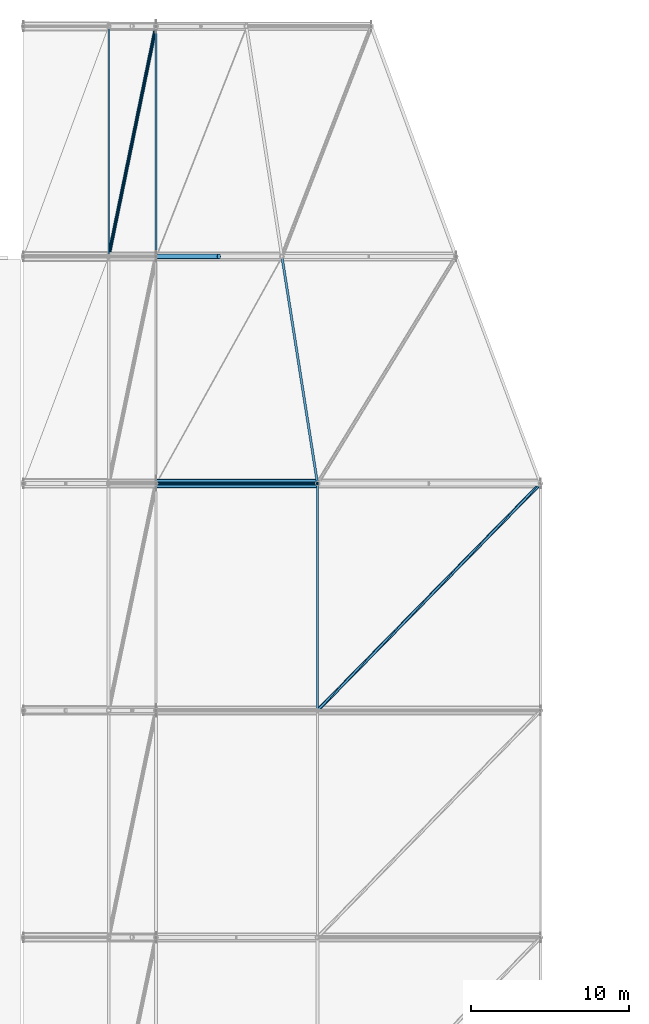
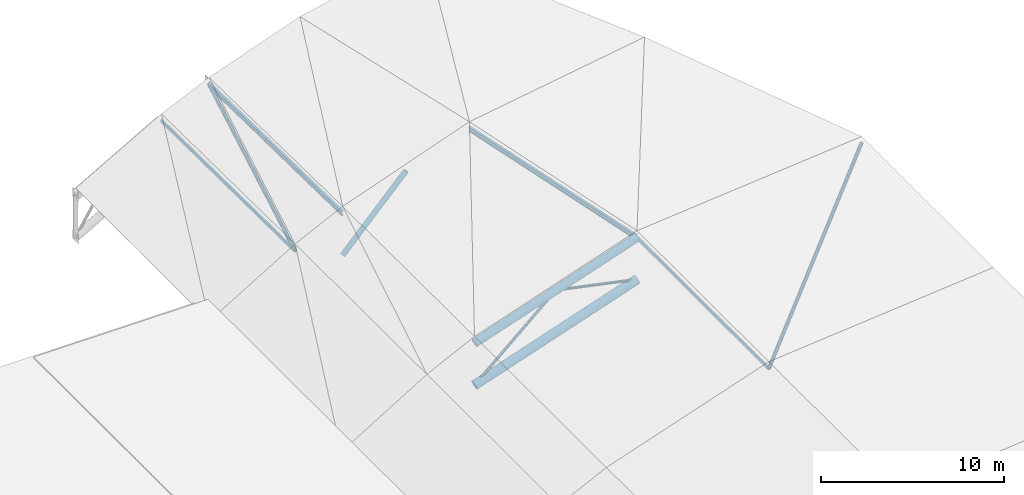
# One storey, part 12 of 36: 11 members.
"""IFC4 building model written with IfcOpenShell, lengths in metres."""

from ifc_helpers import new_model, si_unit, direction, frame, origin, origin_2d, place, context, subcontext, project, spatial, hollow_rectangle, hollow_circle, i_section, extrude, material, material_profile, profile_set, type_object, element, save


model = new_model("IFC4")

# Units and contexts
model_context = context("Model", 3, precision=1e-05, world=origin(), true_north=direction((0.0, 1.0)))
body_context = subcontext(model_context, "Body", "Model", "MODEL_VIEW")
ifc_project = project(units=[si_unit("LENGTHUNIT", "METRE"), si_unit("AREAUNIT", "SQUARE_METRE"), si_unit("VOLUMEUNIT", "CUBIC_METRE"), si_unit("PLANEANGLEUNIT", "RADIAN"), si_unit("MASSUNIT", "GRAM", prefix="KILO")], contexts=[model_context])

# Site, building, storey
site_placement = place(None, origin())
site = spatial("IfcSite", under=ifc_project, at=site_placement, CompositionType="ELEMENT")
building_placement = place(site_placement, origin())
building = spatial("IfcBuilding", under=site, at=building_placement, Name="Koshinbarg Plaza Stadium", CompositionType="ELEMENT")
storey_placement = place(building_placement, frame((0.0, 0.0, 34.199951171875)))
storey = spatial("IfcBuildingStorey", under=building, at=storey_placement, Name="RF", CompositionType="ELEMENT", Elevation=34.199951171875)

# Members
ifc_material = material(Name="Steel S355", Category="steel")
ifc_material_profile_1 = material_profile(ifc_material, hollow_circle(Radius=0.279541015625, WallThickness=0.022216796875, at=origin_2d()), Name="CHS 559x22.2")
ifc_profile_set_1 = profile_set([ifc_material_profile_1], Name="Steel S355")
member_type_1 = type_object("IfcMemberType", Name="MB-ARCH-BOT", PredefinedType="CHORD", material=ifc_profile_set_1)
member_1_placement = place(storey_placement, frame((54.60009765625, 97.5, -0.0400390625), z_axis=(0.947427718422, 0.0, 0.319969871027), x_axis=(0.0, 1.0, 0.0)))
element("IfcMember", 1, at=member_1_placement, inside=storey, type_object=member_type_1, Name="Quarter-barrel roof truss bottom chord WRB-06-3", PredefinedType="CHORD", context=body_context, shape_type="SweptSolid", body=[
    extrude(hollow_circle(Radius=0.279541015625, WallThickness=0.022216796875, at=origin_2d()), origin(), (0.0, 0.0, 1.0), 10.81640625),
])
ifc_material_profile_2 = material_profile(ifc_material, hollow_circle(Radius=0.25390625, WallThickness=0.02001953125, at=origin_2d()), Name="CHS 508x20")
ifc_profile_set_2 = profile_set([ifc_material_profile_2], Name="Steel S355")
member_type_2 = type_object("IfcMemberType", Name="MB-ARCH-TOP", PredefinedType="CHORD", material=ifc_profile_set_2)
member_2_placement = place(storey_placement, frame((54.60009765625, 97.5, 2.760009765625), z_axis=(0.947427718422, 0.0, 0.319969871027), x_axis=(0.0, 1.0, 0.0)))
element("IfcMember", 2, at=member_2_placement, inside=storey, type_object=member_type_2, Name="Quarter-barrel roof truss top chord WRB-06-3", PredefinedType="CHORD", context=body_context, shape_type="SweptSolid", body=[
    extrude(hollow_circle(Radius=0.25390625, WallThickness=0.02001953125, at=origin_2d()), origin(), (0.0, 0.0, 1.0), 10.81640625),
])
ifc_material_profile_3 = material_profile(ifc_material, hollow_circle(Radius=0.161865234375, WallThickness=0.01416015625, at=origin_2d()), Name="CHS 323.9x14.2")
ifc_profile_set_3 = profile_set([ifc_material_profile_3], Name="Steel S355")
member_type_3 = type_object("IfcMemberType", Name="MB-BRACE-01", PredefinedType="BRACE", material=ifc_profile_set_3)
member_3_placement = place(storey_placement, frame((54.60009765625, 111.89990234375, -0.10302734375), z_axis=(0.687397482142, 0.0, 0.72628142035), x_axis=(0.0, 1.0, 0.0)))
element("IfcMember", 3, at=member_3_placement, inside=storey, type_object=member_type_3, Name="Quarter-barrel roof truss web diagonal WRB-07-3A", PredefinedType="BRACE", context=body_context, shape_type="SweptSolid", body=[
    extrude(hollow_circle(Radius=0.161865234375, WallThickness=0.01416015625, at=origin_2d()), origin(), (0.0, 0.0, 1.0), 5.81396484375),
])
ifc_material_profile_4 = material_profile(ifc_material, hollow_circle(Radius=0.109619140625, WallThickness=0.010009765625, at=origin_2d()), Name="CHS 219.1x10")
ifc_profile_set_4 = profile_set([ifc_material_profile_4], Name="Steel S355")
member_type_4 = type_object("IfcMemberType", Name="MB-BRACE-03", PredefinedType="BRACE", material=ifc_profile_set_4)
member_4_placement = place(storey_placement, frame((64.847900390625, 83.10009765625, 6.220947265625), z_axis=(0.699437852357, 0.711684982968, 0.065507066097), x_axis=(-0.713216897677, 0.700943404897, 0.0)))
element("IfcMember", 4, at=member_4_placement, inside=storey, type_object=member_type_4, Name="Roof plan wind brace west bay 5.4", PredefinedType="BRACE", context=body_context, shape_type="SweptSolid", body=[
    extrude(hollow_circle(Radius=0.109619140625, WallThickness=0.010009765625, at=origin_2d()), origin(), (0.0, 0.0, 1.0), 20.233642578125),
])
member_5_placement = place(storey_placement, frame((51.60009765625, 111.89990234375, 1.2421875), z_axis=(0.200619174552, 0.976353180059, 0.080538280279), x_axis=(-0.979535184058, 0.201273006617, 0.0)))
element("IfcMember", 5, at=member_5_placement, inside=storey, type_object=member_type_4, Name="Roof plan wind brace west bay 7.2", PredefinedType="BRACE", context=body_context, shape_type="SweptSolid", body=[
    extrude(hollow_circle(Radius=0.109619140625, WallThickness=0.010009765625, at=origin_2d()), origin(), (0.0, 0.0, 1.0), 14.95361328125),
])
ifc_material_profile_5 = material_profile(ifc_material, hollow_circle(Radius=0.084228515625, WallThickness=0.008056640625, at=origin_2d()), Name="CHS 168.3x8")
ifc_profile_set_5 = profile_set([ifc_material_profile_5], Name="Steel S355")
member_type_5 = type_object("IfcMemberType", Name="MB-BRACE-04", PredefinedType="BRACE", material=ifc_profile_set_5)
member_6_placement = place(storey_placement, frame((54.60009765625, 97.5, -0.0400390625), z_axis=(0.749161416462, 0.0, 0.662387478811), x_axis=(0.0, 1.0, 0.0)))
element("IfcMember", 6, at=member_6_placement, inside=storey, type_object=member_type_5, Name="Quarter-barrel roof truss web diagonal WRB-06-3A", PredefinedType="BRACE", context=body_context, shape_type="SweptSolid", body=[
    extrude(hollow_circle(Radius=0.084228515625, WallThickness=0.008056640625, at=origin_2d()), origin(), (0.0, 0.0, 1.0), 6.839599609375),
])
member_7_placement = place(storey_placement, frame((59.72412109375, 97.5, 4.490478515625), z_axis=(0.978899240734, 0.0, -0.20434352569), x_axis=(0.0, 1.0, 0.0)))
element("IfcMember", 7, at=member_7_placement, inside=storey, type_object=member_type_5, Name="Quarter-barrel roof truss web diagonal WRB-06-3B", PredefinedType="BRACE", context=body_context, shape_type="SweptSolid", body=[
    extrude(hollow_circle(Radius=0.084228515625, WallThickness=0.008056640625, at=origin_2d()), origin(), (0.0, 0.0, 1.0), 5.234130859375),
])
ifc_material_profile_6 = material_profile(ifc_material, hollow_rectangle(XDim=0.10009765625, YDim=0.199951171875, WallThickness=0.008056640625, at=origin_2d()), Name="RHS 200x100x8")
ifc_profile_set_6 = profile_set([ifc_material_profile_6], Name="Steel S355")
member_type_6 = type_object("IfcMemberType", Name="MB-PURL-03", PredefinedType="PURLIN", material=ifc_profile_set_6)
member_8_placement = place(storey_placement, frame((64.847900390625, 83.10009765625, 6.200927734375), z_axis=(0.0, 1.0, 0.0), x_axis=(-1.0, 0.0, 0.0)))
element("IfcMember", 8, at=member_8_placement, inside=storey, type_object=member_type_6, Name="Roof longitudinal purlin west bay 5.4", PredefinedType="PURLIN", context=body_context, shape_type="SweptSolid", body=[
    extrude(hollow_rectangle(XDim=0.10009765625, YDim=0.199951171875, WallThickness=0.008056640625, at=origin_2d()), origin(), (0.0, 0.0, 1.0), 14.39990234375),
])
member_9_placement = place(storey_placement, frame((51.60009765625, 111.89990234375, 1.22216796875), z_axis=(0.0, 0.999933250011, -0.011554026216), x_axis=(-1.0, 0.0, 0.0)))
element("IfcMember", 9, at=member_9_placement, inside=storey, type_object=member_type_6, Name="Roof longitudinal purlin west bay 7.2", PredefinedType="PURLIN", context=body_context, shape_type="SweptSolid", body=[
    extrude(hollow_rectangle(XDim=0.10009765625, YDim=0.199951171875, WallThickness=0.008056640625, at=origin_2d()), origin(), (0.0, 0.0, 1.0), 14.60107421875),
])
ifc_material_profile_7 = material_profile(ifc_material, i_section(OverallWidth=0.14990234375, OverallDepth=0.300048828125, WebThickness=0.007080078125, FlangeThickness=0.0107421875, at=origin_2d()), Name="IPE 300")
ifc_profile_set_7 = profile_set([ifc_material_profile_7], Name="Steel S355")
member_type_7 = type_object("IfcMemberType", Name="MB-PURL-04", PredefinedType="PURLIN", material=ifc_profile_set_7)
member_10_placement = place(storey_placement, frame((64.847900390625, 97.5, 6.200927734375), z_axis=(-0.154504793588, 0.986896440913, -0.046515413274), x_axis=(-0.987965842469, -0.154672215072, 0.0)))
element("IfcMember", 10, at=member_10_placement, inside=storey, type_object=member_type_7, Name="Roof longitudinal purlin west bay 6.4", PredefinedType="PURLIN", context=body_context, shape_type="SweptSolid", body=[
    extrude(i_section(OverallWidth=0.14990234375, OverallDepth=0.300048828125, WebThickness=0.007080078125, FlangeThickness=0.0107421875, at=origin_2d()), origin(), (0.0, 0.0, 1.0), 14.591064453125),
])
member_11_placement = place(storey_placement, frame((54.60009765625, 111.89990234375, 2.677001953125), z_axis=(0.0, 0.999853144356, -0.017137377896), x_axis=(-1.0, 0.0, 0.0)))
element("IfcMember", 11, at=member_11_placement, inside=storey, type_object=member_type_7, Name="Roof longitudinal purlin west bay 7.3", PredefinedType="PURLIN", context=body_context, shape_type="SweptSolid", body=[
    extrude(i_section(OverallWidth=0.14990234375, OverallDepth=0.300048828125, WebThickness=0.007080078125, FlangeThickness=0.0107421875, at=origin_2d()), origin(), (0.0, 0.0, 1.0), 14.602294921875),
])

save(model, "model.ifc")
